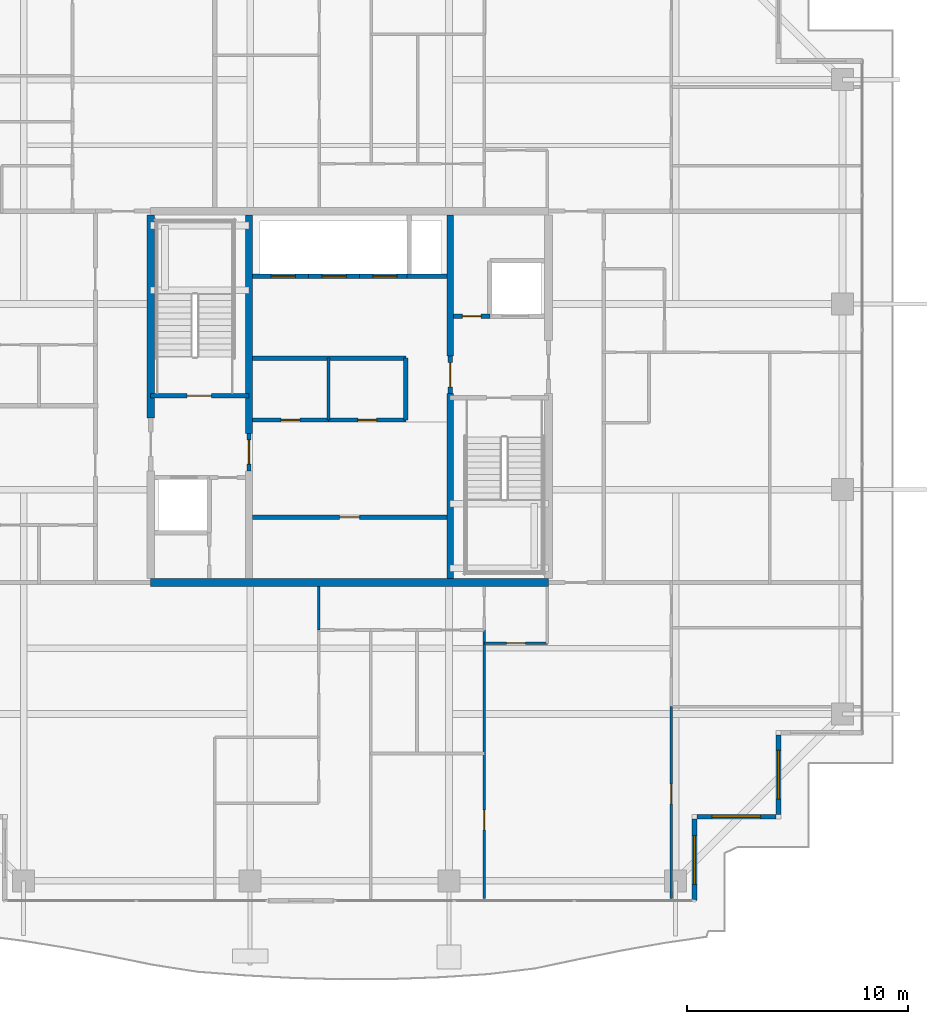
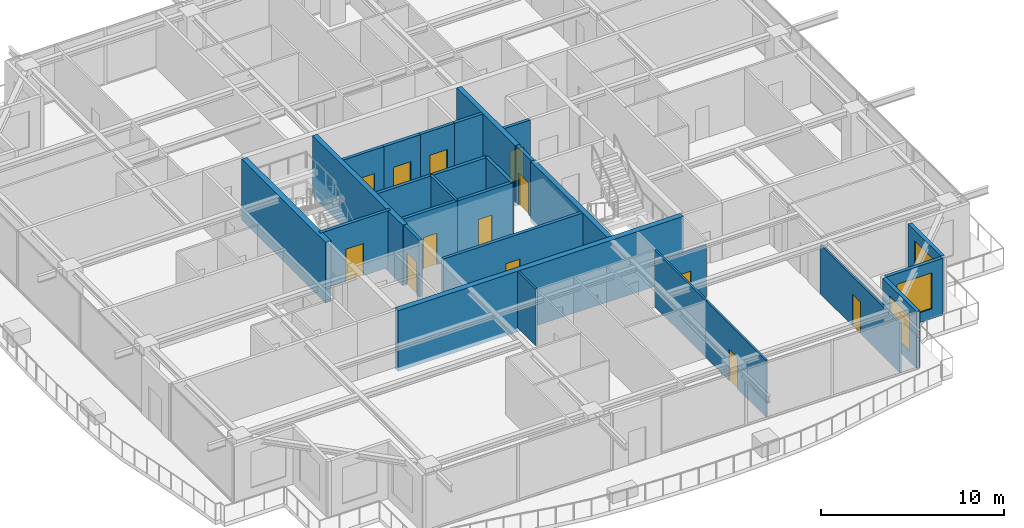
# One storey, part 27 of 37: 27 walls, 13 doors, 3 windows, 16 openings.
"""IFC4 building model written with IfcOpenShell, lengths in metres."""

import ifcopenshell
import ifcopenshell.guid

model = None  # the IFC model being written
_history = None  # IfcOwnerHistory: only IFC2X3 demands one
_inside = {}  # id of a spatial element -> (the spatial element, [elements in it])
_under = {}  # id of a project, library or spatial element -> (it, [spatial elements below it])
_declared = {}  # id of a project -> (the project, [libraries it declares])
_typed = {}  # id of a type object -> (the type object, [elements of that type])
_made_of = {}  # id of a material, layer set ... -> (it, [elements and type objects made of it])


def new_model(schema):
    """Start an empty IFC model of exactly this schema.

    Asked for "IFC4X3", IfcOpenShell would pick the latest addendum, in which some entities
    have other attributes; the version numbers below select the first issue.
    IFC2X3 requires an IfcOwnerHistory on every rooted entity: one is made here for all.
    """
    global model, _history
    if schema == "IFC4X3":
        model = ifcopenshell.file(schema_version=(4, 3, 0, 0))
    else:
        model = ifcopenshell.file(schema=schema)
    _inside.clear()
    _under.clear()
    _declared.clear()
    _typed.clear()
    _made_of.clear()
    _history = None
    if model.schema == "IFC2X3":
        org = make("IfcOrganization", Name="unknown")
        user = make(
            "IfcPersonAndOrganization",
            ThePerson=make("IfcPerson", FamilyName="unknown"),
            TheOrganization=org,
        )
        app = make(
            "IfcApplication",
            ApplicationDeveloper=org,
            Version="unknown",
            ApplicationFullName="unknown",
            ApplicationIdentifier="unknown",
        )
        _history = make(
            "IfcOwnerHistory",
            OwningUser=user,
            OwningApplication=app,
            ChangeAction="ADDED",
            CreationDate=0,
        )
    return model


def make(cls, **values):
    """One entity of the class cls with the attributes given. An attribute that is None is left unset."""
    return model.create_entity(
        cls, **{name: value for name, value in values.items() if value is not None}
    )


def rooted(cls, **values):
    """An entity with a GlobalId (a new one), such as an element, a storey or a relation."""
    return make(cls, GlobalId=ifcopenshell.guid.new(), OwnerHistory=_history, **values)


def si_unit(unit_type, name, prefix=None):
    """IfcSIUnit, for example si_unit("LENGTHUNIT", "METRE", prefix="MILLI")."""
    return make("IfcSIUnit", UnitType=unit_type, Prefix=prefix, Name=name)


def assignment(units):
    """IfcUnitAssignment: the units of a project."""
    return None if units is None else make("IfcUnitAssignment", Units=units)


def point(xyz):
    """IfcCartesianPoint."""
    return None if xyz is None else make("IfcCartesianPoint", Coordinates=xyz)


def direction(xyz):
    """IfcDirection."""
    return None if xyz is None else make("IfcDirection", DirectionRatios=xyz)


def frame(location, z_axis=None, x_axis=None):
    """IfcAxis2Placement3D, a coordinate frame: its origin and axes. An axis left out is left unset."""
    return make(
        "IfcAxis2Placement3D",
        Location=point(location),
        Axis=direction(z_axis),
        RefDirection=direction(x_axis),
    )


def frame_2d(location, x_axis=None):
    """IfcAxis2Placement2D, a coordinate frame in the plane: its origin and x axis."""
    return make(
        "IfcAxis2Placement2D", Location=point(location), RefDirection=direction(x_axis)
    )


def origin():
    """The frame at (0, 0, 0) with its axes left unset."""
    return frame((0.0, 0.0, 0.0))


def place(relative_to, where):
    """IfcLocalPlacement: puts the frame where relative to a parent placement (None: the world)."""
    return make(
        "IfcLocalPlacement", PlacementRelTo=relative_to, RelativePlacement=where
    )


def context(
    kind, dimensions, precision=None, world=None, true_north=None, identifier=None
):
    """IfcGeometricRepresentationContext, for example the 3D "Model" context."""
    return make(
        "IfcGeometricRepresentationContext",
        ContextIdentifier=identifier,
        ContextType=kind,
        CoordinateSpaceDimension=dimensions,
        Precision=precision,
        WorldCoordinateSystem=world,
        TrueNorth=true_north,
    )


def subcontext(parent, identifier, kind, view, scale=None):
    """IfcGeometricRepresentationSubContext, for example "Body" below "Model"."""
    return make(
        "IfcGeometricRepresentationSubContext",
        ContextIdentifier=identifier,
        ContextType=kind,
        ParentContext=parent,
        TargetScale=scale,
        TargetView=view,
    )


def project(units=None, contexts=None):
    """IfcProject with its units and contexts."""
    return rooted(
        "IfcProject",
        Name="project",
        RepresentationContexts=contexts,
        UnitsInContext=assignment(units),
    )


def spatial(cls, under=None, at=None, **own):
    """A site, building, storey or space (cls), placed at a placement, below another one or the project."""
    s = rooted(cls, ObjectPlacement=at, **own)
    if under is not None:
        _under.setdefault(under.id(), (under, []))[1].append(s)
    return s


def profile(cls, at=None, kind="AREA", **sizes):
    """A parametric profile (cls). Its sizes go by their IFC names, for example OverallWidth=200.0."""
    return make(cls, ProfileType=kind, Position=at, **sizes)


def rectangle(**sizes):
    """IfcRectangleProfileDef."""
    return profile("IfcRectangleProfileDef", **sizes)


def extrude(swept, where, along, depth):
    """IfcExtrudedAreaSolid: the profile swept, set in the frame where, extruded along a direction by depth."""
    return make(
        "IfcExtrudedAreaSolid",
        SweptArea=swept,
        Position=where,
        ExtrudedDirection=direction(along),
        Depth=depth,
    )


def shape(context_of_items, identifier, shape_type, items):
    """IfcShapeRepresentation: the items that make up one representation, for example the "Body"."""
    return make(
        "IfcShapeRepresentation",
        ContextOfItems=context_of_items,
        RepresentationIdentifier=identifier,
        RepresentationType=shape_type,
        Items=items,
    )


def source(mapping_origin, context_of_items, identifier, shape_type, items):
    """IfcRepresentationMap: a shape defined once, which mapped items show again and again."""
    return make(
        "IfcRepresentationMap",
        MappingOrigin=mapping_origin,
        MappedRepresentation=shape(context_of_items, identifier, shape_type, items),
    )


def transform(
    local_origin,
    x_axis=None,
    y_axis=None,
    z_axis=None,
    scale=None,
    scale2=None,
    scale3=None,
    uniform=True,
):
    """IfcCartesianTransformationOperator3D, or its non-uniform kind. x_axis, y_axis, z_axis: its Axis1, 2, 3."""
    if uniform:
        return make(
            "IfcCartesianTransformationOperator3D",
            Axis1=direction(x_axis),
            Axis2=direction(y_axis),
            LocalOrigin=point(local_origin),
            Scale=scale,
            Axis3=direction(z_axis),
        )
    return make(
        "IfcCartesianTransformationOperator3DnonUniform",
        Axis1=direction(x_axis),
        Axis2=direction(y_axis),
        LocalOrigin=point(local_origin),
        Scale=scale,
        Axis3=direction(z_axis),
        Scale2=scale2,
        Scale3=scale3,
    )


def mapped(mapping_source, mapping_target):
    """IfcMappedItem: shows the shape of a source again, moved by a transform."""
    return make(
        "IfcMappedItem", MappingSource=mapping_source, MappingTarget=mapping_target
    )


def material(Name=None, Category=None):
    """IfcMaterial."""
    return make("IfcMaterial", Name=Name, Category=Category)


def layer(
    of_material, thickness, ventilated=None, Name=None, Category=None, Priority=None
):
    """IfcMaterialLayer: one layer of a wall or slab, of a material (None: an air gap)."""
    return make(
        "IfcMaterialLayer",
        Material=of_material,
        LayerThickness=thickness,
        IsVentilated=ventilated,
        Name=Name,
        Category=Category,
        Priority=Priority,
    )


def layer_set(layers, Name=None):
    """IfcMaterialLayerSet."""
    return make("IfcMaterialLayerSet", MaterialLayers=layers, LayerSetName=Name)


def made_of(thing, what):
    """Note that an element or type object is made of a material, layer set ...; save() writes the relation."""
    if what is not None:
        _made_of.setdefault(what.id(), (what, []))[1].append(thing)
    return thing


def type_object(cls, material=None, **own):
    """A type object (cls), such as IfcWallType, which elements share."""
    return made_of(rooted(cls, **own), material)


def element(
    cls,
    number,
    at=None,
    inside=None,
    cuts=None,
    type_object=None,
    material=None,
    context=None,
    identifier="Body",
    shape_type=None,
    held_by="IfcProductDefinitionShape",
    body=None,
    shapes=None,
    **own,
):
    """One element of the class cls, such as IfcWall. Its Tag is "e" and its number.

    at: its placement. inside: the storey or other place that contains it. cuts: it is an
    opening in that element (IfcRelVoidsElement). A single representation is given by context,
    identifier, shape_type and body (its items); several are given by shapes. held_by: the class
    of the entity that holds the representations. save() writes the other relations.
    """
    e = rooted(cls, Tag="e%d" % number, ObjectPlacement=at, **own)
    if body is not None:
        shapes = [shape(context, identifier, shape_type, body)]
    if shapes is not None:
        e.Representation = make(held_by, Representations=shapes)
    if inside is not None:
        _inside.setdefault(inside.id(), (inside, []))[1].append(e)
    if cuts is not None:
        rooted(
            "IfcRelVoidsElement", RelatingBuildingElement=cuts, RelatedOpeningElement=e
        )
    if type_object is not None:
        _typed.setdefault(type_object.id(), (type_object, []))[1].append(e)
    return made_of(e, material)


def fill(opening, filler):
    """IfcRelFillsElement: the door or window that sits in an opening."""
    return rooted(
        "IfcRelFillsElement",
        RelatingOpeningElement=opening,
        RelatedBuildingElement=filler,
    )


def aggregate(whole, parts):
    """IfcRelAggregates: a whole, such as a stair, and the parts it consists of."""
    return rooted("IfcRelAggregates", RelatingObject=whole, RelatedObjects=parts)


def save(model, path):
    """Write the relations noted so far, then the file.

    IfcRelAggregates (storeys below a building ...), IfcRelContainedInSpatialStructure (elements
    in a storey), IfcRelDefinesByType, IfcRelAssociatesMaterial and IfcRelDeclares: one each for
    every whole, place, type object, material and project.
    """
    for whole, parts in _under.values():
        aggregate(whole, parts)
    for where, things in _inside.values():
        rooted(
            "IfcRelContainedInSpatialStructure",
            RelatedElements=things,
            RelatingStructure=where,
        )
    for kind, things in _typed.values():
        rooted("IfcRelDefinesByType", RelatedObjects=things, RelatingType=kind)
    for what, things in _made_of.values():
        rooted("IfcRelAssociatesMaterial", RelatedObjects=things, RelatingMaterial=what)
    for by, libraries in _declared.values():
        rooted("IfcRelDeclares", RelatingContext=by, RelatedDefinitions=libraries)
    model.write(path)


model = new_model("IFC4")

# Units and contexts
model_context = context("Model", 3, precision=1e-05, world=origin(), true_north=direction((0.0, 1.0)))
body_context = subcontext(model_context, "Body", "Model", "MODEL_VIEW")
ifc_project = project(units=[si_unit("LENGTHUNIT", "METRE"), si_unit("AREAUNIT", "SQUARE_METRE"), si_unit("VOLUMEUNIT", "CUBIC_METRE"), si_unit("PLANEANGLEUNIT", "RADIAN"), si_unit("MASSUNIT", "GRAM", prefix="KILO")], contexts=[model_context])

# Site, building, storey
site_placement = place(None, origin())
site = spatial("IfcSite", under=ifc_project, at=site_placement, CompositionType="ELEMENT")
building_placement = place(site_placement, origin())
building = spatial("IfcBuilding", under=site, at=building_placement, Name="Serunith Strait Residences", CompositionType="ELEMENT")
storey_placement = place(building_placement, frame((0.0, 0.0, 305.60009765625)))
storey = spatial("IfcBuildingStorey", under=building, at=storey_placement, Name="L76", CompositionType="ELEMENT", Elevation=305.60009765625)

# Wall, opening, window
ifc_material_1 = material(Name="Pale-Champagne Aluminium Insulated Panel", Category="aluminium")
ifc_layer_1 = layer(ifc_material_1, 0.219970703125, Name="Pale-Champagne Aluminium Insulated Panel")
ifc_layer_set_1 = layer_set([ifc_layer_1], Name="Pale-Champagne Aluminium Insulated Panel")
wall_type_1 = type_object("IfcWallType", Name="EW-ALUM-220", PredefinedType="ELEMENTEDWALL", material=ifc_layer_set_1)
wall_1_placement = place(storey_placement, frame((48.0, 2.39990234375, 0.0), z_axis=(0.0, 0.0, 1.0), x_axis=(0.0, 1.0, 0.0)))
wall_1 = element("IfcWall", 1, at=wall_1_placement, inside=storey, type_object=wall_type_1, Name="L76 Girih Serrated Corner Wall 02", PredefinedType="ELEMENTEDWALL", context=body_context, shape_type="SweptSolid", body=[
    extrude(rectangle(XDim=3.690185546875, YDim=0.219970703125, at=frame_2d((1.84521484375, 0.0))), origin(), (0.0, 0.0, 1.0), 3.77490234375),
])
opening_1_placement = place(wall_1_placement, frame((0.7451171875, 0.0, 0.64990234375)))
opening_1 = element("IfcOpeningElement", 2, at=opening_1_placement, cuts=wall_1, Name="Opening W-06", PredefinedType="OPENING", context=body_context, shape_type="SweptSolid", body=[
    extrude(rectangle(XDim=2.199951171875, YDim=2.39990234375, at=frame_2d((1.10009765625, 1.199951171875))), frame((0.0, 0.1201171875, 0.0), z_axis=(0.0, -1.0, 0.0), x_axis=(1.0, 0.0, 0.0)), (0.0, 0.0, 1.0), 0.239990234375),
])
ifc_material_2 = material(Name="Crown Penthouse Low-E Operable Window Glass", Category="glass")
window_type = type_object("IfcWindowType", Name="WIN-C6", PartitioningType="TRIPLE_PANEL_VERTICAL", PredefinedType="WINDOW", material=ifc_material_2)
shared_shape_1 = source(origin(), body_context, "Body", "SweptSolid", [
    extrude(rectangle(XDim=2.199951171875, YDim=2.39990234375, at=frame_2d((1.10009765625, 1.199951171875))), frame((0.0, 0.030029296875, 0.0), z_axis=(0.0, -1.0, 0.0), x_axis=(1.0, 0.0, 0.0)), (0.0, 0.0, 1.0), 0.06005859375),
])
window_1_placement = place(opening_1_placement, origin())
window_1 = element("IfcWindow", 3, at=window_1_placement, inside=storey, type_object=window_type, Name="L76 Corner Operable Fritted Window 02", OverallHeight=2.39990234375, OverallWidth=2.199951171875, PartitioningType="SINGLE_PANEL", PredefinedType="WINDOW", context=body_context, shape_type="MappedRepresentation", body=[
    mapped(shared_shape_1, transform((0.0, 0.0, 0.0), scale=1.0)),
])
fill(opening_1, window_1)

wall_2_placement = place(storey_placement, frame((48.110107421875, 6.199951171875, 0.0), z_axis=(0.0, 0.0, 1.0), x_axis=(1.0, 0.0, 0.0)))
wall_2 = element("IfcWall", 4, at=wall_2_placement, inside=storey, type_object=wall_type_1, Name="L76 Girih Serrated Corner Wall 03", PredefinedType="ELEMENTEDWALL", context=body_context, shape_type="SweptSolid", body=[
    extrude(rectangle(XDim=3.579833984375, YDim=0.219970703125, at=frame_2d((1.7900390625, 0.0))), origin(), (0.0, 0.0, 1.0), 3.77490234375),
])
opening_2_placement = place(wall_2_placement, frame((0.68994140625, 0.0, 0.64990234375)))
opening_2 = element("IfcOpeningElement", 5, at=opening_2_placement, cuts=wall_2, Name="Opening W-06", PredefinedType="OPENING", context=body_context, shape_type="SweptSolid", body=[
    extrude(rectangle(XDim=2.199951171875, YDim=2.39990234375, at=frame_2d((1.10009765625, 1.199951171875))), frame((0.0, 0.1201171875, 0.0), z_axis=(0.0, -1.0, 0.0), x_axis=(1.0, 0.0, 0.0)), (0.0, 0.0, 1.0), 0.239990234375),
])
window_2_placement = place(opening_2_placement, origin())
window_2 = element("IfcWindow", 6, at=window_2_placement, inside=storey, type_object=window_type, Name="L76 Corner Operable Fritted Window 03", OverallHeight=2.39990234375, OverallWidth=2.199951171875, PartitioningType="SINGLE_PANEL", PredefinedType="WINDOW", context=body_context, shape_type="MappedRepresentation", body=[
    mapped(shared_shape_1, transform((0.0, 0.0, 0.0), scale=1.0)),
])
fill(opening_2, window_2)

wall_3_placement = place(storey_placement, frame((51.800048828125, 6.31005859375, 0.0), z_axis=(0.0, 0.0, 1.0), x_axis=(0.0, 1.0, 0.0)))
wall_3 = element("IfcWall", 7, at=wall_3_placement, inside=storey, type_object=wall_type_1, Name="L76 Girih Serrated Corner Wall 04", PredefinedType="ELEMENTEDWALL", context=body_context, shape_type="SweptSolid", body=[
    extrude(rectangle(XDim=3.579833984375, YDim=0.219970703125, at=frame_2d((1.7900390625, 0.0))), origin(), (0.0, 0.0, 1.0), 3.77490234375),
])
opening_3_placement = place(wall_3_placement, frame((0.68994140625, 0.0, 0.64990234375)))
opening_3 = element("IfcOpeningElement", 8, at=opening_3_placement, cuts=wall_3, Name="Opening W-06", PredefinedType="OPENING", context=body_context, shape_type="SweptSolid", body=[
    extrude(rectangle(XDim=2.199951171875, YDim=2.39990234375, at=frame_2d((1.10009765625, 1.199951171875))), frame((0.0, 0.1201171875, 0.0), z_axis=(0.0, -1.0, 0.0), x_axis=(1.0, 0.0, 0.0)), (0.0, 0.0, 1.0), 0.239990234375),
])
window_3_placement = place(opening_3_placement, origin())
window_3 = element("IfcWindow", 9, at=window_3_placement, inside=storey, type_object=window_type, Name="L76 Corner Operable Fritted Window 04", OverallHeight=2.39990234375, OverallWidth=2.199951171875, PartitioningType="SINGLE_PANEL", PredefinedType="WINDOW", context=body_context, shape_type="MappedRepresentation", body=[
    mapped(shared_shape_1, transform((0.0, 0.0, 0.0), scale=1.0)),
])
fill(opening_3, window_3)

# Wall
ifc_material_3 = material(Name="Fire-rated masonry service closet wall", Category="masonry")
ifc_layer_2 = layer(ifc_material_3, 0.14990234375, Name="Fire-rated masonry service closet wall")
ifc_layer_set_2 = layer_set([ifc_layer_2], Name="Fire-rated masonry service closet wall")
wall_type_2 = type_object("IfcWallType", Name="IW-BOH-150", PredefinedType="PARTITIONING", material=ifc_layer_set_2)
wall_4_placement = place(storey_placement, frame((31.449951171875, 24.14990234375, 0.0), z_axis=(0.0, 0.0, 1.0), x_axis=(0.0, 1.0, 0.0)))
element("IfcWall", 10, at=wall_4_placement, inside=storey, type_object=wall_type_2, Name="L76 Partition Wall 017", PredefinedType="PARTITIONING", context=body_context, shape_type="SweptSolid", body=[
    extrude(rectangle(XDim=2.800048828125, YDim=0.14990234375, at=frame_2d((1.39990234375, 0.0))), origin(), (0.0, 0.0, 1.0), 3.789794921875),
])

# Wall, opening, door
ifc_material_4 = material(Name="Lightweight steel-stud gypsum partition", Category="steel")
ifc_layer_3 = layer(ifc_material_4, 0.1201171875, Name="Lightweight steel-stud gypsum partition")
ifc_layer_set_3 = layer_set([ifc_layer_3], Name="Lightweight steel-stud gypsum partition")
wall_type_3 = type_object("IfcWallType", Name="IW-PART-120", PredefinedType="PARTITIONING", material=ifc_layer_set_3)
wall_5_placement = place(storey_placement, frame((38.5, 14.050048828125, 0.0), z_axis=(0.0, 0.0, 1.0), x_axis=(1.0, 0.0, 0.0)))
wall_5 = element("IfcWall", 11, at=wall_5_placement, inside=storey, type_object=wall_type_3, Name="L76 Partition Wall 030", PredefinedType="PARTITIONING", context=body_context, shape_type="SweptSolid", body=[
    extrude(rectangle(XDim=2.85009765625, YDim=0.1201171875, at=frame_2d((1.425048828125, 0.0))), origin(), (0.0, 0.0, 1.0), 3.511962890625),
])
opening_4_placement = place(wall_5_placement, frame((1.0, 0.0, 0.0)))
opening_4 = element("IfcOpeningElement", 12, at=opening_4_placement, cuts=wall_5, Name="Opening D-RM850", PredefinedType="OPENING", context=body_context, shape_type="SweptSolid", body=[
    extrude(rectangle(XDim=0.85009765625, YDim=2.10009765625, at=frame_2d((0.425048828125, 1.050048828125))), frame((0.0, 0.070068359375, 0.0), z_axis=(0.0, -1.0, 0.0), x_axis=(1.0, 0.0, 0.0)), (0.0, 0.0, 1.0), 0.14013671875),
])
ifc_material_5 = material(Name="Engineered timber flush study and kitchen door", Category="wood")
door_type_1 = type_object("IfcDoorType", Name="ID-ROOM-850", OperationType="NOTDEFINED", PredefinedType="DOOR", material=ifc_material_5)
shared_shape_2 = source(origin(), body_context, "Body", "SweptSolid", [
    extrude(rectangle(XDim=0.85009765625, YDim=2.10009765625, at=frame_2d((0.425048828125, 1.050048828125))), frame((0.0, 0.02490234375, 0.0), z_axis=(0.0, -1.0, 0.0), x_axis=(1.0, 0.0, 0.0)), (0.0, 0.0, 1.0), 0.050048828125),
])
door_1_placement = place(opening_4_placement, origin())
door_1 = element("IfcDoor", 13, at=door_1_placement, inside=storey, type_object=door_type_1, Name="L76 Kitchen 7601 Door", OperationType="SINGLE_SWING_RIGHT", OverallHeight=2.10009765625, OverallWidth=0.85009765625, PredefinedType="DOOR", context=body_context, shape_type="MappedRepresentation", body=[
    mapped(shared_shape_2, transform((0.0, 0.0, 0.0), scale=1.0)),
])
fill(opening_4, door_1)

wall_6_placement = place(storey_placement, frame((38.5, 2.4951171875, 0.0), z_axis=(0.0, 0.0, 1.0), x_axis=(0.0, 1.0, 0.0)))
wall_6 = element("IfcWall", 14, at=wall_6_placement, inside=storey, type_object=wall_type_3, Name="L76 Partition Wall 033", PredefinedType="PARTITIONING", context=body_context, shape_type="SweptSolid", body=[
    extrude(rectangle(XDim=6.56787109375, YDim=0.1201171875, at=frame_2d((3.283935546875, 0.0))), origin(), (0.0, 0.0, 1.0), 3.789794921875),
])
opening_5_placement = place(wall_6_placement, frame((3.116943359375, 0.0, 0.0)))
opening_5 = element("IfcOpeningElement", 15, at=opening_5_placement, cuts=wall_6, Name="Opening D-RM900", PredefinedType="OPENING", context=body_context, shape_type="SweptSolid", body=[
    extrude(rectangle(XDim=0.89990234375, YDim=2.10009765625, at=frame_2d((0.449951171875, 1.050048828125))), frame((0.0, 0.070068359375, 0.0), z_axis=(0.0, -1.0, 0.0), x_axis=(1.0, 0.0, 0.0)), (0.0, 0.0, 1.0), 0.14013671875),
])
ifc_material_6 = material(Name="Engineered timber flush bedroom door", Category="wood")
door_type_2 = type_object("IfcDoorType", Name="ID-ROOM-900", OperationType="NOTDEFINED", PredefinedType="DOOR", material=ifc_material_6)
shared_shape_3 = source(origin(), body_context, "Body", "SweptSolid", [
    extrude(rectangle(XDim=0.89990234375, YDim=2.10009765625, at=frame_2d((0.449951171875, 1.050048828125))), frame((0.0, 0.02490234375, 0.0), z_axis=(0.0, -1.0, 0.0), x_axis=(1.0, 0.0, 0.0)), (0.0, 0.0, 1.0), 0.050048828125),
])
door_2_placement = place(opening_5_placement, origin())
door_2 = element("IfcDoor", 16, at=door_2_placement, inside=storey, type_object=door_type_2, Name="L76 Formal Dining Room 1 7601 Door", OperationType="SINGLE_SWING_RIGHT", OverallHeight=2.10009765625, OverallWidth=0.89990234375, PredefinedType="DOOR", context=body_context, shape_type="MappedRepresentation", body=[
    mapped(shared_shape_3, transform((0.0, 0.0, 0.0), scale=1.0)),
])
fill(opening_5, door_2)

# Walls
wall_7_placement = place(storey_placement, frame((38.5, 9.06494140625, 0.0), z_axis=(0.0, 0.0, 1.0), x_axis=(0.0, 1.0, 0.0)))
element("IfcWall", 17, at=wall_7_placement, inside=storey, type_object=wall_type_3, Name="L76 Partition Wall 034", PredefinedType="PARTITIONING", context=body_context, shape_type="SweptSolid", body=[
    extrude(rectangle(XDim=5.5830078125, YDim=0.1201171875, at=frame_2d((2.79150390625, 0.0))), origin(), (0.0, 0.0, 1.0), 3.789794921875),
])
wall_8_placement = place(storey_placement, frame((31.0, 14.652099609375, 0.0), z_axis=(0.0, 0.0, 1.0), x_axis=(0.0, 1.0, 0.0)))
element("IfcWall", 18, at=wall_8_placement, inside=storey, type_object=wall_type_3, Name="L76 Partition Wall 046", PredefinedType="PARTITIONING", context=body_context, shape_type="SweptSolid", body=[
    extrude(rectangle(XDim=1.972900390625, YDim=0.1201171875, at=frame_2d((0.986328125, 0.0))), origin(), (0.0, 0.0, 1.0), 3.789794921875),
])

# Wall, opening, door
wall_9_placement = place(storey_placement, frame((46.949951171875, 2.4951171875, 0.0), z_axis=(0.0, 0.0, 1.0), x_axis=(0.0, 1.0, 0.0)))
wall_9 = element("IfcWall", 19, at=wall_9_placement, inside=storey, type_object=wall_type_3, Name="L76 Partition Wall 047", PredefinedType="PARTITIONING", context=body_context, shape_type="SweptSolid", body=[
    extrude(rectangle(XDim=8.68798828125, YDim=0.1201171875, at=frame_2d((4.343994140625, 0.0))), origin(), (0.0, 0.0, 1.0), 3.2919921875),
])
opening_6_placement = place(wall_9_placement, frame((4.282958984375, 0.0, 0.0)))
opening_6 = element("IfcOpeningElement", 20, at=opening_6_placement, cuts=wall_9, Name="Opening D-RM900", PredefinedType="OPENING", context=body_context, shape_type="SweptSolid", body=[
    extrude(rectangle(XDim=0.89990234375, YDim=2.10009765625, at=frame_2d((0.449951171875, 1.050048828125))), frame((0.0, 0.070068359375, 0.0), z_axis=(0.0, -1.0, 0.0), x_axis=(1.0, 0.0, 0.0)), (0.0, 0.0, 1.0), 0.14013671875),
])
door_3_placement = place(opening_6_placement, origin())
door_3 = element("IfcDoor", 21, at=door_3_placement, inside=storey, type_object=door_type_2, Name="L76 Bedroom 3 7601 Door", OperationType="SINGLE_SWING_RIGHT", OverallHeight=2.10009765625, OverallWidth=0.89990234375, PredefinedType="DOOR", context=body_context, shape_type="MappedRepresentation", body=[
    mapped(shared_shape_3, transform((0.0, 0.0, 0.0), scale=1.0)),
])
fill(opening_6, door_3)

ifc_material_7 = material(Name="Autoclaved aerated concrete blockwork", Category="masonry")
ifc_layer_4 = layer(ifc_material_7, 0.199951171875, Name="Autoclaved aerated concrete blockwork")
ifc_layer_set_4 = layer_set([ifc_layer_4], Name="Autoclaved aerated concrete blockwork")
wall_type_4 = type_object("IfcWallType", Name="IW-SHAFT-200", PredefinedType="STANDARD", material=ifc_layer_set_4)
wall_10_placement = place(storey_placement, frame((23.39990234375, 25.25, 0.0), z_axis=(0.0, 0.0, 1.0), x_axis=(1.0, 0.0, 0.0)))
wall_10 = element("IfcWall", 22, at=wall_10_placement, inside=storey, type_object=wall_type_4, Name="L76 ST-1 South Shaft Wall", PredefinedType="STANDARD", context=body_context, shape_type="SweptSolid", body=[
    extrude(rectangle(XDim=4.4501953125, YDim=0.199951171875, at=frame_2d((2.22509765625, 0.0))), origin(), (0.0, 0.0, 1.0), 3.789794921875),
])
opening_7_placement = place(wall_10_placement, frame((1.64990234375, 0.0, 0.0)))
opening_7 = element("IfcOpeningElement", 23, at=opening_7_placement, cuts=wall_10, Name="Opening FD-1100", PredefinedType="OPENING", context=body_context, shape_type="SweptSolid", body=[
    extrude(rectangle(XDim=1.10009765625, YDim=2.14990234375, at=frame_2d((0.550048828125, 1.074951171875))), frame((0.0, 0.10986328125, 0.0), z_axis=(0.0, -1.0, 0.0), x_axis=(1.0, 0.0, 0.0)), (0.0, 0.0, 1.0), 0.219970703125),
])
ifc_material_8 = material(Name="Galvanised steel fire door leaf", Category="steel")
door_type_3 = type_object("IfcDoorType", Name="FD-STAIR-1100", OperationType="NOTDEFINED", PredefinedType="DOOR", material=ifc_material_8)
shared_shape_4 = source(origin(), body_context, "Body", "SweptSolid", [
    extrude(rectangle(XDim=1.10009765625, YDim=2.14990234375, at=frame_2d((0.550048828125, 1.074951171875))), frame((0.0, 0.02490234375, 0.0), z_axis=(0.0, -1.0, 0.0), x_axis=(1.0, 0.0, 0.0)), (0.0, 0.0, 1.0), 0.050048828125),
])
door_4_placement = place(opening_7_placement, origin())
door_4 = element("IfcDoor", 24, at=door_4_placement, inside=storey, type_object=door_type_3, Name="L76 ST-1 Escape Stair Door", OperationType="SINGLE_SWING_RIGHT", OverallHeight=2.14990234375, OverallWidth=1.10009765625, PredefinedType="DOOR", context=body_context, shape_type="MappedRepresentation", body=[
    mapped(shared_shape_4, transform((0.0, 0.0, 0.0), scale=1.0)),
])
fill(opening_7, door_4)

wall_11_placement = place(storey_placement, frame((28.0, 30.64990234375, 0.0), z_axis=(0.0, 0.0, 1.0), x_axis=(1.0, 0.0, 0.0)))
wall_11 = element("IfcWall", 25, at=wall_11_placement, inside=storey, type_object=wall_type_4, Name="L76 PL-7 South Shaft Wall", PredefinedType="STANDARD", context=body_context, shape_type="SweptSolid", body=[
    extrude(rectangle(XDim=2.550048828125, YDim=0.199951171875, at=frame_2d((1.27490234375, 0.0))), origin(), (0.0, 0.0, 1.0), 3.789794921875),
])
opening_8_placement = place(wall_11_placement, frame((0.85009765625, 0.0, 0.0)))
opening_8 = element("IfcOpeningElement", 26, at=opening_8_placement, cuts=wall_11, Name="Opening LD-1100", PredefinedType="OPENING", context=body_context, shape_type="SweptSolid", body=[
    extrude(rectangle(XDim=1.10009765625, YDim=2.199951171875, at=frame_2d((0.550048828125, 1.10009765625))), frame((0.0, 0.10986328125, 0.0), z_axis=(0.0, -1.0, 0.0), x_axis=(1.0, 0.0, 0.0)), (0.0, 0.0, 1.0), 0.219970703125),
])
ifc_material_9 = material(Name="Pale-champagne stainless landing door")
door_type_4 = type_object("IfcDoorType", Name="LD-LIFT-1100", OperationType="DOUBLE_DOOR_SLIDING", PredefinedType="DOOR", material=ifc_material_9)
shared_shape_5 = source(origin(), body_context, "Body", "SweptSolid", [
    extrude(rectangle(XDim=1.10009765625, YDim=2.199951171875, at=frame_2d((0.550048828125, 1.10009765625))), frame((0.0, 0.02490234375, 0.0), z_axis=(0.0, -1.0, 0.0), x_axis=(1.0, 0.0, 0.0)), (0.0, 0.0, 1.0), 0.050048828125),
])
door_5_placement = place(opening_8_placement, origin())
door_5 = element("IfcDoor", 27, at=door_5_placement, inside=storey, type_object=door_type_4, Name="L76 PL-7 Landing Door", OperationType="DOUBLE_DOOR_SLIDING", OverallHeight=2.199951171875, OverallWidth=1.10009765625, PredefinedType="DOOR", context=body_context, shape_type="MappedRepresentation", body=[
    mapped(shared_shape_5, transform((0.0, 0.0, 0.0), scale=1.0)),
])
fill(opening_8, door_5)

wall_12_placement = place(storey_placement, frame((30.550048828125, 30.64990234375, 0.0), z_axis=(0.0, 0.0, 1.0), x_axis=(1.0, 0.0, 0.0)))
wall_12 = element("IfcWall", 28, at=wall_12_placement, inside=storey, type_object=wall_type_4, Name="L76 PL-8 South Shaft Wall", PredefinedType="STANDARD", context=body_context, shape_type="SweptSolid", body=[
    extrude(rectangle(XDim=2.300048828125, YDim=0.199951171875, at=frame_2d((1.14990234375, 0.0))), origin(), (0.0, 0.0, 1.0), 3.789794921875),
])
opening_9_placement = place(wall_12_placement, frame((0.60009765625, 0.0, 0.0)))
opening_9 = element("IfcOpeningElement", 29, at=opening_9_placement, cuts=wall_12, Name="Opening LD-1100", PredefinedType="OPENING", context=body_context, shape_type="SweptSolid", body=[
    extrude(rectangle(XDim=1.10009765625, YDim=2.199951171875, at=frame_2d((0.550048828125, 1.10009765625))), frame((0.0, 0.10986328125, 0.0), z_axis=(0.0, -1.0, 0.0), x_axis=(1.0, 0.0, 0.0)), (0.0, 0.0, 1.0), 0.219970703125),
])
door_6_placement = place(opening_9_placement, origin())
door_6 = element("IfcDoor", 30, at=door_6_placement, inside=storey, type_object=door_type_4, Name="L76 PL-8 Landing Door", OperationType="DOUBLE_DOOR_SLIDING", OverallHeight=2.199951171875, OverallWidth=1.10009765625, PredefinedType="DOOR", context=body_context, shape_type="MappedRepresentation", body=[
    mapped(shared_shape_5, transform((0.0, 0.0, 0.0), scale=1.0)),
])
fill(opening_9, door_6)

wall_13_placement = place(storey_placement, frame((32.85009765625, 30.64990234375, 0.0), z_axis=(0.0, 0.0, 1.0), x_axis=(1.0, 0.0, 0.0)))
wall_13 = element("IfcWall", 31, at=wall_13_placement, inside=storey, type_object=wall_type_4, Name="L76 PL-9 South Shaft Wall", PredefinedType="STANDARD", context=body_context, shape_type="SweptSolid", body=[
    extrude(rectangle(XDim=2.14990234375, YDim=0.199951171875, at=frame_2d((1.074951171875, 0.0))), origin(), (0.0, 0.0, 1.0), 3.789794921875),
])
opening_10_placement = place(wall_13_placement, frame((0.60009765625, 0.0, 0.0)))
opening_10 = element("IfcOpeningElement", 32, at=opening_10_placement, cuts=wall_13, Name="Opening LD-1100", PredefinedType="OPENING", context=body_context, shape_type="SweptSolid", body=[
    extrude(rectangle(XDim=1.10009765625, YDim=2.199951171875, at=frame_2d((0.550048828125, 1.10009765625))), frame((0.0, 0.10986328125, 0.0), z_axis=(0.0, -1.0, 0.0), x_axis=(1.0, 0.0, 0.0)), (0.0, 0.0, 1.0), 0.219970703125),
])
door_7_placement = place(opening_10_placement, origin())
door_7 = element("IfcDoor", 33, at=door_7_placement, inside=storey, type_object=door_type_4, Name="L76 PL-9 Landing Door", OperationType="DOUBLE_DOOR_SLIDING", OverallHeight=2.199951171875, OverallWidth=1.10009765625, PredefinedType="DOOR", context=body_context, shape_type="MappedRepresentation", body=[
    mapped(shared_shape_5, transform((0.0, 0.0, 0.0), scale=1.0)),
])
fill(opening_10, door_7)

# Wall
wall_14_placement = place(storey_placement, frame((35.0, 30.64990234375, 0.0), z_axis=(0.0, 0.0, 1.0), x_axis=(1.0, 0.0, 0.0)))
element("IfcWall", 34, at=wall_14_placement, inside=storey, type_object=wall_type_4, Name="L76 SL-1 South Shaft Wall", PredefinedType="STANDARD", context=body_context, shape_type="SweptSolid", body=[
    extrude(rectangle(XDim=1.800048828125, YDim=0.199951171875, at=frame_2d((0.89990234375, 0.0))), origin(), (0.0, 0.0, 1.0), 3.789794921875),
])

# Wall, opening, door
wall_15_placement = place(storey_placement, frame((37.10009765625, 28.85009765625, 0.0), z_axis=(0.0, 0.0, 1.0), x_axis=(1.0, 0.0, 0.0)))
wall_15 = element("IfcWall", 35, at=wall_15_placement, inside=storey, type_object=wall_type_4, Name="L76 Partition Wall 006", PredefinedType="STANDARD", context=body_context, shape_type="SweptSolid", body=[
    extrude(rectangle(XDim=1.64794921875, YDim=0.199951171875, at=frame_2d((0.823974609375, 0.0))), origin(), (0.0, 0.0, 1.0), 3.789794921875),
])
opening_11_placement = place(wall_15_placement, frame((0.39892578125, 0.0, 0.0)))
opening_11 = element("IfcOpeningElement", 36, at=opening_11_placement, cuts=wall_15, Name="Opening FD-850", PredefinedType="OPENING", context=body_context, shape_type="SweptSolid", body=[
    extrude(rectangle(XDim=0.85009765625, YDim=2.10009765625, at=frame_2d((0.425048828125, 1.050048828125))), frame((0.0, 0.10986328125, 0.0), z_axis=(0.0, -1.0, 0.0), x_axis=(1.0, 0.0, 0.0)), (0.0, 0.0, 1.0), 0.219970703125),
])
ifc_material_10 = material(Name="Powder-coated steel service closet door", Category="steel")
door_type_5 = type_object("IfcDoorType", Name="FD-BOH-850", OperationType="NOTDEFINED", PredefinedType="DOOR", material=ifc_material_10)
door_8_placement = place(opening_11_placement, origin())
door_8 = element("IfcDoor", 37, at=door_8_placement, inside=storey, type_object=door_type_5, Name="L76 North-East Core Service Door", OperationType="SINGLE_SWING_LEFT", OverallHeight=2.10009765625, OverallWidth=0.85009765625, PredefinedType="DOOR", context=body_context, shape_type="MappedRepresentation", body=[
    mapped(shared_shape_2, transform((0.0, 0.0, 0.0), scale=1.0)),
])
fill(opening_11, door_8)

wall_16_placement = place(storey_placement, frame((27.85009765625, 21.85205078125, 0.0), z_axis=(0.0, 0.0, 1.0), x_axis=(0.0, 1.0, 0.0)))
wall_16 = element("IfcWall", 38, at=wall_16_placement, inside=storey, type_object=wall_type_4, Name="L76 Partition Wall 009", PredefinedType="STANDARD", context=body_context, shape_type="SweptSolid", body=[
    extrude(rectangle(XDim=1.696044921875, YDim=0.199951171875, at=frame_2d((0.84814453125, 0.0))), origin(), (0.0, 0.0, 1.0), 3.789794921875),
])
opening_12_placement = place(wall_16_placement, frame((0.298095703125, 0.0, 0.0)))
opening_12 = element("IfcOpeningElement", 39, at=opening_12_placement, cuts=wall_16, Name="Opening FD-FFL", PredefinedType="OPENING", context=body_context, shape_type="SweptSolid", body=[
    extrude(rectangle(XDim=1.10009765625, YDim=2.14990234375, at=frame_2d((0.550048828125, 1.074951171875))), frame((0.0, 0.10986328125, 0.0), z_axis=(0.0, -1.0, 0.0), x_axis=(1.0, 0.0, 0.0)), (0.0, 0.0, 1.0), 0.219970703125),
])
ifc_material_11 = material(Name="Glazed steel smoke-lobby fire door", Category="steel")
door_type_6 = type_object("IfcDoorType", Name="FD-FFL-1100", OperationType="NOTDEFINED", PredefinedType="DOOR", material=ifc_material_11)
door_9_placement = place(opening_12_placement, origin())
door_9 = element("IfcDoor", 40, at=door_9_placement, inside=storey, type_object=door_type_6, Name="L76 FFL-1 Lift Lobby Door", OperationType="SINGLE_SWING_RIGHT", OverallHeight=2.14990234375, OverallWidth=1.10009765625, PredefinedType="DOOR", context=body_context, shape_type="MappedRepresentation", body=[
    mapped(shared_shape_4, transform((0.0, 0.0, 0.0), scale=1.0)),
])
fill(opening_12, door_9)

wall_17_placement = place(storey_placement, frame((36.949951171875, 25.35205078125, 0.0), z_axis=(0.0, 0.0, 1.0), x_axis=(0.0, 1.0, 0.0)))
wall_17 = element("IfcWall", 41, at=wall_17_placement, inside=storey, type_object=wall_type_4, Name="L76 Partition Wall 010", PredefinedType="STANDARD", context=body_context, shape_type="SweptSolid", body=[
    extrude(rectangle(XDim=1.696044921875, YDim=0.199951171875, at=frame_2d((0.84814453125, 0.0))), origin(), (0.0, 0.0, 1.0), 3.789794921875),
])
opening_13_placement = place(wall_17_placement, frame((0.298095703125, 0.0, 0.0)))
opening_13 = element("IfcOpeningElement", 42, at=opening_13_placement, cuts=wall_17, Name="Opening FD-FFL", PredefinedType="OPENING", context=body_context, shape_type="SweptSolid", body=[
    extrude(rectangle(XDim=1.10009765625, YDim=2.14990234375, at=frame_2d((0.550048828125, 1.074951171875))), frame((0.0, 0.10986328125, 0.0), z_axis=(0.0, -1.0, 0.0), x_axis=(1.0, 0.0, 0.0)), (0.0, 0.0, 1.0), 0.219970703125),
])
door_10_placement = place(opening_13_placement, origin())
door_10 = element("IfcDoor", 43, at=door_10_placement, inside=storey, type_object=door_type_6, Name="L76 FFL-2 Lift Lobby Door", OperationType="SINGLE_SWING_LEFT", OverallHeight=2.14990234375, OverallWidth=1.10009765625, PredefinedType="DOOR", context=body_context, shape_type="MappedRepresentation", body=[
    mapped(shared_shape_4, transform((0.0, 0.0, 0.0), scale=1.0)),
])
fill(opening_13, door_10)

wall_18_placement = place(storey_placement, frame((28.0, 19.75, 0.0), z_axis=(0.0, 0.0, 1.0), x_axis=(1.0, 0.0, 0.0)))
wall_18 = element("IfcWall", 44, at=wall_18_placement, inside=storey, type_object=wall_type_4, Name="L76 Partition Wall 012", PredefinedType="STANDARD", context=body_context, shape_type="SweptSolid", body=[
    extrude(rectangle(XDim=8.800048828125, YDim=0.199951171875, at=frame_2d((4.39990234375, 0.0))), origin(), (0.0, 0.0, 1.0), 3.789794921875),
])
opening_14_placement = place(wall_18_placement, frame((3.949951171875, 0.0, 0.0)))
opening_14 = element("IfcOpeningElement", 45, at=opening_14_placement, cuts=wall_18, Name="Opening FD-900", PredefinedType="OPENING", context=body_context, shape_type="SweptSolid", body=[
    extrude(rectangle(XDim=0.89990234375, YDim=2.10009765625, at=frame_2d((0.449951171875, 1.050048828125))), frame((0.0, 0.10986328125, 0.0), z_axis=(0.0, -1.0, 0.0), x_axis=(1.0, 0.0, 0.0)), (0.0, 0.0, 1.0), 0.219970703125),
])
ifc_material_12 = material(Name="Powder-coated steel riser door", Category="steel")
door_type_7 = type_object("IfcDoorType", Name="FD-BOH-900", OperationType="NOTDEFINED", PredefinedType="DOOR", material=ifc_material_12)
door_11_placement = place(opening_14_placement, origin())
door_11 = element("IfcDoor", 46, at=door_11_placement, inside=storey, type_object=door_type_7, Name="L76 Reclaimed BMS Plant Door", OperationType="SINGLE_SWING_LEFT", OverallHeight=2.10009765625, OverallWidth=0.89990234375, PredefinedType="DOOR", context=body_context, shape_type="MappedRepresentation", body=[
    mapped(shared_shape_3, transform((0.0, 0.0, 0.0), scale=1.0)),
])
fill(opening_14, door_11)

# Walls
wall_19_placement = place(storey_placement, frame((28.0, 26.949951171875, 0.0), z_axis=(0.0, 0.0, 1.0), x_axis=(1.0, 0.0, 0.0)))
element("IfcWall", 47, at=wall_19_placement, inside=storey, type_object=wall_type_4, Name="L76 Partition Wall 013", PredefinedType="STANDARD", context=body_context, shape_type="SweptSolid", body=[
    extrude(rectangle(XDim=6.949951171875, YDim=0.199951171875, at=frame_2d((3.47509765625, 0.0))), origin(), (0.0, 0.0, 1.0), 3.789794921875),
])
wall_20_placement = place(storey_placement, frame((34.949951171875, 24.14990234375, 0.0), z_axis=(0.0, 0.0, 1.0), x_axis=(0.0, 1.0, 0.0)))
element("IfcWall", 48, at=wall_20_placement, inside=storey, type_object=wall_type_4, Name="L76 Partition Wall 014", PredefinedType="STANDARD", context=body_context, shape_type="SweptSolid", body=[
    extrude(rectangle(XDim=2.800048828125, YDim=0.199951171875, at=frame_2d((1.39990234375, 0.0))), origin(), (0.0, 0.0, 1.0), 3.789794921875),
])

# Wall, opening, door
wall_21_placement = place(storey_placement, frame((28.0, 24.14990234375, 0.0), z_axis=(0.0, 0.0, 1.0), x_axis=(1.0, 0.0, 0.0)))
wall_21 = element("IfcWall", 49, at=wall_21_placement, inside=storey, type_object=wall_type_4, Name="L76 Partition Wall 015", PredefinedType="STANDARD", context=body_context, shape_type="SweptSolid", body=[
    extrude(rectangle(XDim=3.449951171875, YDim=0.199951171875, at=frame_2d((1.72509765625, 0.0))), origin(), (0.0, 0.0, 1.0), 3.789794921875),
])
opening_15_placement = place(wall_21_placement, frame((1.300048828125, 0.0, 0.0)))
opening_15 = element("IfcOpeningElement", 50, at=opening_15_placement, cuts=wall_21, Name="Opening FD-850", PredefinedType="OPENING", context=body_context, shape_type="SweptSolid", body=[
    extrude(rectangle(XDim=0.85009765625, YDim=2.10009765625, at=frame_2d((0.425048828125, 1.050048828125))), frame((0.0, 0.10986328125, 0.0), z_axis=(0.0, -1.0, 0.0), x_axis=(1.0, 0.0, 0.0)), (0.0, 0.0, 1.0), 0.219970703125),
])
door_12_placement = place(opening_15_placement, origin())
door_12 = element("IfcDoor", 51, at=door_12_placement, inside=storey, type_object=door_type_5, Name="L76 Concierge Store Door", OperationType="SINGLE_SWING_RIGHT", OverallHeight=2.10009765625, OverallWidth=0.85009765625, PredefinedType="DOOR", context=body_context, shape_type="MappedRepresentation", body=[
    mapped(shared_shape_2, transform((0.0, 0.0, 0.0), scale=1.0)),
])
fill(opening_15, door_12)

wall_22_placement = place(storey_placement, frame((31.451904296875, 24.14990234375, 0.0), z_axis=(0.0, 0.0, 1.0), x_axis=(1.0, 0.0, 0.0)))
wall_22 = element("IfcWall", 52, at=wall_22_placement, inside=storey, type_object=wall_type_4, Name="L76 Partition Wall 016", PredefinedType="STANDARD", context=body_context, shape_type="SweptSolid", body=[
    extrude(rectangle(XDim=3.498046875, YDim=0.199951171875, at=frame_2d((1.7490234375, 0.0))), origin(), (0.0, 0.0, 1.0), 3.789794921875),
])
opening_16_placement = place(wall_22_placement, frame((1.323974609375, 0.0, 0.0)))
opening_16 = element("IfcOpeningElement", 53, at=opening_16_placement, cuts=wall_22, Name="Opening FD-850", PredefinedType="OPENING", context=body_context, shape_type="SweptSolid", body=[
    extrude(rectangle(XDim=0.85009765625, YDim=2.10009765625, at=frame_2d((0.425048828125, 1.050048828125))), frame((0.0, 0.10986328125, 0.0), z_axis=(0.0, -1.0, 0.0), x_axis=(1.0, 0.0, 0.0)), (0.0, 0.0, 1.0), 0.219970703125),
])
door_13_placement = place(opening_16_placement, origin())
door_13 = element("IfcDoor", 54, at=door_13_placement, inside=storey, type_object=door_type_5, Name="L76 Upper Telecoms Door", OperationType="SINGLE_SWING_LEFT", OverallHeight=2.10009765625, OverallWidth=0.85009765625, PredefinedType="DOOR", context=body_context, shape_type="MappedRepresentation", body=[
    mapped(shared_shape_2, transform((0.0, 0.0, 0.0), scale=1.0)),
])
fill(opening_16, door_13)

# Walls
ifc_material_13 = material(Name="Concrete C60/75", Category="concrete")
ifc_layer_5 = layer(ifc_material_13, 0.300048828125, Name="Concrete C60/75")
ifc_layer_set_5 = layer_set([ifc_layer_5], Name="Concrete C60/75")
wall_type_5 = type_object("IfcWallType", Name="SW-300-C60", PredefinedType="SHEAR", material=ifc_layer_set_5)
wall_23_placement = place(storey_placement, frame((27.85009765625, 23.550048828125, -0.260009765625), z_axis=(0.0, 0.0, 1.0), x_axis=(0.0, 1.0, 0.0)))
element("IfcWall", 55, at=wall_23_placement, inside=storey, type_object=wall_type_5, Name="L76 Core Internal West Web North Pier", PredefinedType="SHEAR", context=body_context, shape_type="SweptSolid", body=[
    extrude(rectangle(XDim=9.875, YDim=0.300048828125, at=frame_2d((4.9375, 0.0))), origin(), (0.0, 0.0, 1.0), 4.0478515625),
])
wall_24_placement = place(storey_placement, frame((36.949951171875, 16.97509765625, -0.260009765625), z_axis=(0.0, 0.0, 1.0), x_axis=(0.0, 1.0, 0.0)))
element("IfcWall", 56, at=wall_24_placement, inside=storey, type_object=wall_type_5, Name="L76 Core Internal East Web South Pier", PredefinedType="SHEAR", context=body_context, shape_type="SweptSolid", body=[
    extrude(rectangle(XDim=8.375, YDim=0.300048828125, at=frame_2d((4.1875, 0.0))), origin(), (0.0, 0.0, 1.0), 4.0478515625),
])
wall_25_placement = place(storey_placement, frame((36.949951171875, 27.050048828125, -0.260009765625), z_axis=(0.0, 0.0, 1.0), x_axis=(0.0, 1.0, 0.0)))
element("IfcWall", 57, at=wall_25_placement, inside=storey, type_object=wall_type_5, Name="L76 Core Internal East Web North Pier", PredefinedType="SHEAR", context=body_context, shape_type="SweptSolid", body=[
    extrude(rectangle(XDim=6.375, YDim=0.300048828125, at=frame_2d((3.1875, 0.0))), origin(), (0.0, 0.0, 1.0), 4.0478515625),
])
ifc_layer_6 = layer(ifc_material_13, 0.35009765625, Name="Concrete C60/75")
ifc_layer_set_6 = layer_set([ifc_layer_6], Name="Concrete C60/75")
wall_type_6 = type_object("IfcWallType", Name="SW-350-C60", PredefinedType="SHEAR", material=ifc_layer_set_6)
wall_26_placement = place(storey_placement, frame((23.39990234375, 16.800048828125, -0.260009765625), z_axis=(0.0, 0.0, 1.0), x_axis=(1.0, 0.0, 0.0)))
element("IfcWall", 58, at=wall_26_placement, inside=storey, type_object=wall_type_6, Name="L76 Core South Shear Wall", PredefinedType="SHEAR", context=body_context, shape_type="SweptSolid", body=[
    extrude(rectangle(XDim=18.0, YDim=0.35009765625, at=frame_2d((9.0, 0.0))), origin(), (0.0, 0.0, 1.0), 4.0478515625),
])
wall_27_placement = place(storey_placement, frame((23.39990234375, 24.25, -0.260009765625), z_axis=(0.0, 0.0, 1.0), x_axis=(0.0, 1.0, 0.0)))
element("IfcWall", 59, at=wall_27_placement, inside=storey, type_object=wall_type_6, Name="L76 Core West Shear Wall North Pier", PredefinedType="SHEAR", context=body_context, shape_type="SweptSolid", body=[
    extrude(rectangle(XDim=9.175048828125, YDim=0.35009765625, at=frame_2d((4.58740234375, 0.0))), origin(), (0.0, 0.0, 1.0), 4.0478515625),
])

save(model, "model.ifc")
